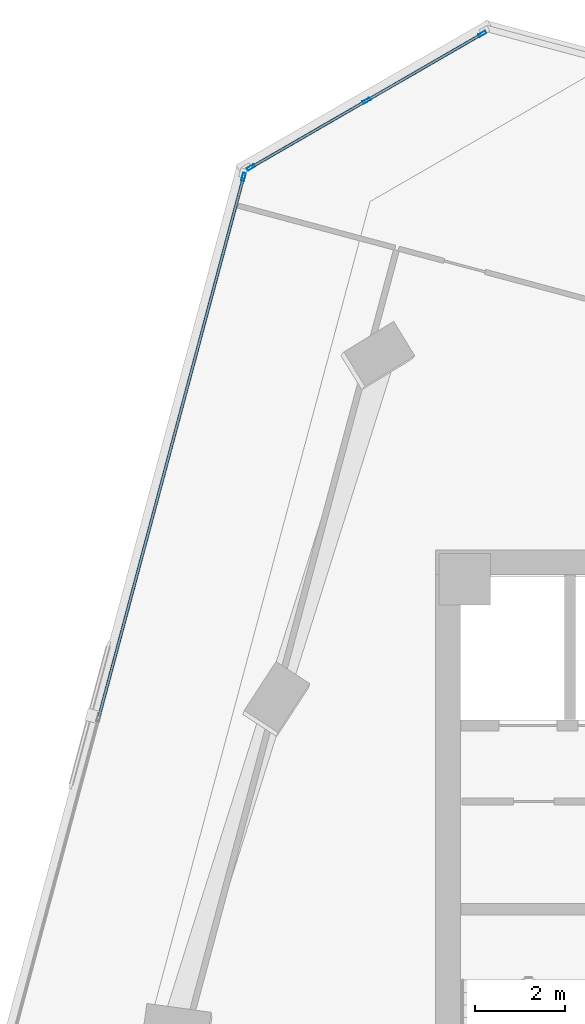
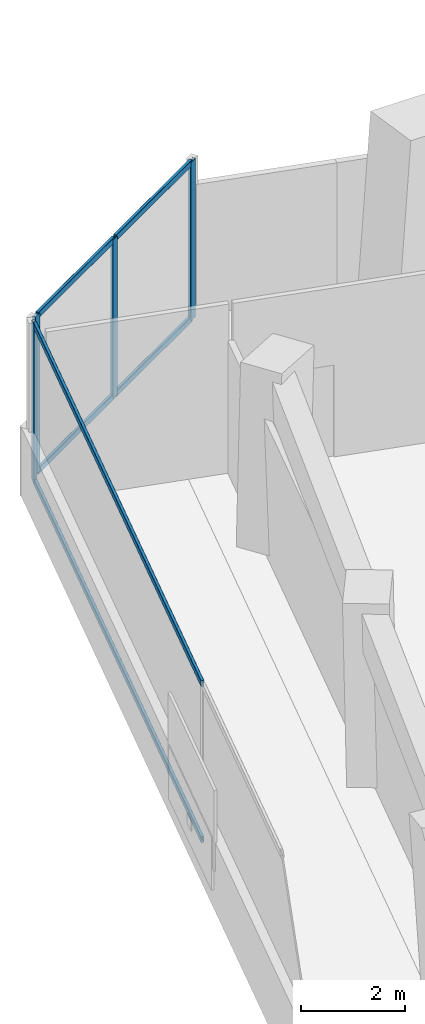
# One storey, part 14 of 27: 10 members, 2 elements without a shape of their own.
"""IFC4 building model written with IfcOpenShell, lengths in metres."""

from ifc_helpers import new_model, si_unit, direction, frame, origin, origin_2d, place, context, subcontext, project, spatial, hollow_rectangle, extrude, source, transform, mapped, material, material_profile, profile_set, type_object, element, aggregate, save


model = new_model("IFC4")

# Units and contexts
model_context = context("Model", 3, precision=1e-05, world=origin(), true_north=direction((0.0, 1.0)))
body_context = subcontext(model_context, "Body", "Model", "MODEL_VIEW")
ifc_project = project(units=[si_unit("LENGTHUNIT", "METRE"), si_unit("AREAUNIT", "SQUARE_METRE"), si_unit("VOLUMEUNIT", "CUBIC_METRE"), si_unit("PLANEANGLEUNIT", "RADIAN"), si_unit("MASSUNIT", "GRAM", prefix="KILO")], contexts=[model_context])

# Site, building, storey
site_placement = place(None, origin())
site = spatial("IfcSite", under=ifc_project, at=site_placement, CompositionType="ELEMENT")
building_placement = place(site_placement, origin())
building = spatial("IfcBuilding", under=site, at=building_placement, Name="Torre Montelarca", CompositionType="ELEMENT")
storey_placement = place(building_placement, frame((0.0, 0.0, 108.39990234375)))
storey = spatial("IfcBuildingStorey", under=building, at=storey_placement, Name="L24", CompositionType="ELEMENT", Elevation=108.39990234375)

# Curtain wall, members
ifc_material_1 = material(Name="Insulated low-E laminated glass", Category="glass")
curtain_wall_type = type_object("IfcCurtainWallType", Name="CW-SYS-Z1", PredefinedType="USERDEFINED", material=ifc_material_1)
curtain_wall_1_placement = place(storey_placement, origin())
curtain_wall_1 = element("IfcCurtainWall", 1, at=curtain_wall_1_placement, inside=storey, type_object=curtain_wall_type, Name="L24 Curtain Wall Run CW-T3-L24-E09-B1", ObjectType="UNITISED GLAZING", PredefinedType="USERDEFINED")
ifc_material_2 = material(Name="Anodised aluminium AA 6063-T6", Category="aluminium")
ifc_material_profile_1 = material_profile(ifc_material_2, hollow_rectangle(XDim=0.06494140625, YDim=0.139892578125, WallThickness=0.00390625, InnerFilletRadius=0.00390625, OuterFilletRadius=0.008056640625, at=origin_2d()), Name="ALU65X140X4", Category="aluminium")
ifc_profile_set_1 = profile_set([ifc_material_profile_1], Name="Anodised aluminium AA 6063-T6")
member_type_1 = type_object("IfcMemberType", Name="CWT-ALU140", PredefinedType="USERDEFINED", material=ifc_profile_set_1)
shared_shape_1 = source(origin(), body_context, "Body", "SweptSolid", [
    extrude(hollow_rectangle(XDim=0.06494140625, YDim=0.139892578125, WallThickness=0.00390625, InnerFilletRadius=0.00390625, OuterFilletRadius=0.008056640625, at=origin_2d()), origin(), (0.0, 0.0, 1.0), 2.9189453125),
])
member_1_placement = place(storey_placement, frame((7.326171875, 50.12109375, 0.03271484375), z_axis=(-0.866021227388, -0.500007233661, 0.0), x_axis=(0.500007233661, -0.866021227388, 0.0)))
member_1 = element("IfcMember", 2, at=member_1_placement, type_object=member_type_1, Name="CW transom 2.1", ObjectType="TRANSOM", PredefinedType="USERDEFINED", context=body_context, shape_type="MappedRepresentation", body=[
    mapped(shared_shape_1, transform((0.0, 0.0, 0.0), scale=1.0)),
])
member_2_placement = place(storey_placement, frame((7.326171875, 50.12109375, 3.6875), z_axis=(-0.866021227388, -0.500007233661, 0.0), x_axis=(0.500007233661, -0.866021227388, 0.0)))
member_2 = element("IfcMember", 3, at=member_2_placement, type_object=member_type_1, Name="CW transom 2.2", ObjectType="TRANSOM", PredefinedType="USERDEFINED", context=body_context, shape_type="MappedRepresentation", body=[
    mapped(shared_shape_1, transform((0.0, 0.0, 0.0), scale=1.0)),
])
shared_shape_2 = source(origin(), body_context, "Body", "SweptSolid", [
    extrude(hollow_rectangle(XDim=0.06494140625, YDim=0.139892578125, WallThickness=0.00390625, InnerFilletRadius=0.00390625, OuterFilletRadius=0.008056640625, at=origin_2d()), origin(), (0.0, 0.0, 1.0), 2.91845703125),
])
member_3_placement = place(storey_placement, frame((9.909912109375, 51.61279296875, 0.03271484375), z_axis=(-0.866036535882, -0.499980718146, 0.0), x_axis=(0.499980718146, -0.866036535882, 0.0)))
member_3 = element("IfcMember", 4, at=member_3_placement, type_object=member_type_1, Name="CW transom 1.1", ObjectType="TRANSOM", PredefinedType="USERDEFINED", context=body_context, shape_type="MappedRepresentation", body=[
    mapped(shared_shape_2, transform((0.0, 0.0, 0.0), scale=1.0)),
])
member_4_placement = place(storey_placement, frame((9.909912109375, 51.61279296875, 3.6875), z_axis=(-0.866036535882, -0.499980718146, 0.0), x_axis=(0.499980718146, -0.866036535882, 0.0)))
member_4 = element("IfcMember", 5, at=member_4_placement, type_object=member_type_1, Name="CW transom 1.2", ObjectType="TRANSOM", PredefinedType="USERDEFINED", context=body_context, shape_type="MappedRepresentation", body=[
    mapped(shared_shape_2, transform((0.0, 0.0, 0.0), scale=1.0)),
])

curtain_wall_2_placement = place(storey_placement, origin())
curtain_wall_2 = element("IfcCurtainWall", 6, at=curtain_wall_2_placement, inside=storey, type_object=curtain_wall_type, Name="L24 Curtain Wall Run CW-T3-L24-E10-B1", ObjectType="UNITISED GLAZING", PredefinedType="USERDEFINED")
shared_shape_3 = source(origin(), body_context, "Body", "SweptSolid", [
    extrude(hollow_rectangle(XDim=0.06494140625, YDim=0.139892578125, WallThickness=0.00390625, InnerFilletRadius=0.00390625, OuterFilletRadius=0.008056640625, at=origin_2d()), origin(), (0.0, 0.0, 1.0), 12.4365234375),
])
member_5_placement = place(storey_placement, frame((4.599365234375, 48.402099609375, 0.03271484375), z_axis=(-0.258834209486, -0.965921762877, 0.0), x_axis=(0.965921762877, -0.258834209486, 0.0)))
member_5 = element("IfcMember", 7, at=member_5_placement, type_object=member_type_1, Name="CW transom 1.1", ObjectType="TRANSOM", PredefinedType="USERDEFINED", context=body_context, shape_type="MappedRepresentation", body=[
    mapped(shared_shape_3, transform((0.0, 0.0, 0.0), scale=1.0)),
])
member_6_placement = place(storey_placement, frame((4.599365234375, 48.402099609375, 3.6875), z_axis=(-0.258834209486, -0.965921762877, 0.0), x_axis=(0.965921762877, -0.258834209486, 0.0)))
member_6 = element("IfcMember", 8, at=member_6_placement, type_object=member_type_1, Name="CW transom 1.2", ObjectType="TRANSOM", PredefinedType="USERDEFINED", context=body_context, shape_type="MappedRepresentation", body=[
    mapped(shared_shape_3, transform((0.0, 0.0, 0.0), scale=1.0)),
])

# Member
ifc_material_profile_2 = material_profile(ifc_material_2, hollow_rectangle(XDim=0.06494140625, YDim=0.179931640625, WallThickness=0.00390625, InnerFilletRadius=0.00390625, OuterFilletRadius=0.008056640625, at=origin_2d()), Name="ALU65X180X4", Category="aluminium")
ifc_profile_set_2 = profile_set([ifc_material_profile_2], Name="Anodised aluminium AA 6063-T6")
member_type_2 = type_object("IfcMemberType", Name="CWM-ALU180", PredefinedType="MULLION", material=ifc_profile_set_2)
shared_shape_4 = source(origin(), body_context, "Body", "SweptSolid", [
    extrude(hollow_rectangle(XDim=0.06494140625, YDim=0.179931640625, WallThickness=0.00390625, InnerFilletRadius=0.00390625, OuterFilletRadius=0.008056640625, at=origin_2d()), origin(), (0.0, 0.0, 1.0), 3.72021484375),
])
member_7_placement = place(storey_placement, frame((9.938232421875, 51.629150390625, 0.0), z_axis=(0.0, 0.0, 1.0), x_axis=(0.50000083595, -0.866024921148, 0.0)))
member_7 = element("IfcMember", 9, at=member_7_placement, type_object=member_type_2, Name="CW mullion 1", PredefinedType="MULLION", context=body_context, shape_type="MappedRepresentation", body=[
    mapped(shared_shape_4, transform((0.0, 0.0, 0.0), scale=1.0)),
])

member_8_placement = place(storey_placement, frame((7.354248046875, 50.13720703125, 0.0), z_axis=(0.0, 0.0, 1.0), x_axis=(0.50000083595, -0.866024921148, 0.0)))
member_8 = element("IfcMember", 10, at=member_8_placement, type_object=member_type_2, Name="CW mullion 2", PredefinedType="MULLION", context=body_context, shape_type="MappedRepresentation", body=[
    mapped(shared_shape_4, transform((0.0, 0.0, 0.0), scale=1.0)),
])

member_9_placement = place(storey_placement, frame((4.770263671875, 48.6455078125, 0.0), z_axis=(0.0, 0.0, 1.0), x_axis=(0.50000083595, -0.866024921148, 0.0)))
member_9 = element("IfcMember", 11, at=member_9_placement, type_object=member_type_2, Name="CW mullion 3", PredefinedType="MULLION", context=body_context, shape_type="MappedRepresentation", body=[
    mapped(shared_shape_4, transform((0.0, 0.0, 0.0), scale=1.0)),
])

aggregate(curtain_wall_1, [member_7, member_8, member_9, member_3, member_4, member_1, member_2])

member_10_placement = place(storey_placement, frame((4.607666015625, 48.43359375, 0.0), z_axis=(0.0, 0.0, 1.0), x_axis=(0.965926043153, -0.258818235755, 0.0)))
member_10 = element("IfcMember", 12, at=member_10_placement, type_object=member_type_2, Name="CW mullion 1", PredefinedType="MULLION", context=body_context, shape_type="MappedRepresentation", body=[
    mapped(shared_shape_4, transform((0.0, 0.0, 0.0), scale=1.0)),
])

aggregate(curtain_wall_2, [member_10, member_5, member_6])

save(model, "model.ifc")
